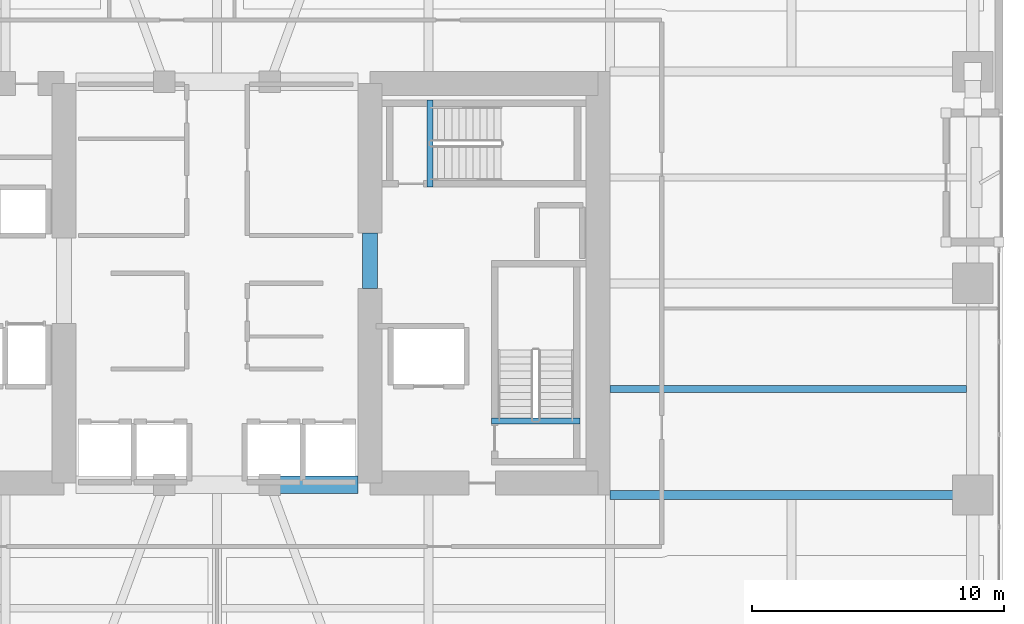
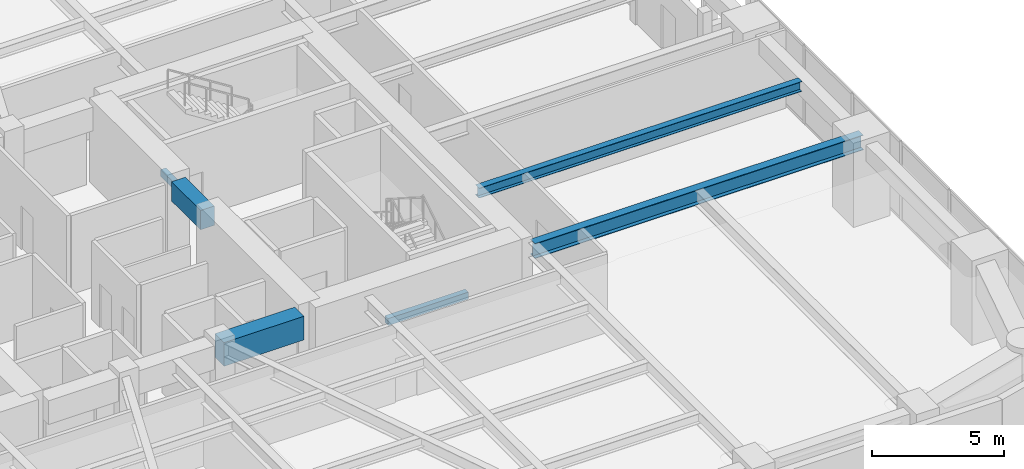
# One storey, part 7 of 29: 6 beams.
"""IFC4 building model written with IfcOpenShell, lengths in metres."""

from ifc_helpers import new_model, si_unit, direction, frame, origin, origin_2d, place, context, subcontext, project, spatial, rectangle, i_section, extrude, material, material_profile, profile_set, type_object, element, save


model = new_model("IFC4")

# Units and contexts
model_context = context("Model", 3, precision=1e-05, world=origin(), true_north=direction((0.0, 1.0)))
body_context = subcontext(model_context, "Body", "Model", "MODEL_VIEW")
ifc_project = project(units=[si_unit("LENGTHUNIT", "METRE"), si_unit("AREAUNIT", "SQUARE_METRE"), si_unit("VOLUMEUNIT", "CUBIC_METRE"), si_unit("PLANEANGLEUNIT", "RADIAN"), si_unit("MASSUNIT", "GRAM", prefix="KILO")], contexts=[model_context])

# Site, building, storey
site_placement = place(None, origin())
site = spatial("IfcSite", under=ifc_project, at=site_placement, CompositionType="ELEMENT")
building_placement = place(site_placement, origin())
building = spatial("IfcBuilding", under=site, at=building_placement, Name="Kiyonajd Concourse Tower", CompositionType="ELEMENT")
storey_placement = place(building_placement, frame((0.0, 0.0, 25.5)))
storey = spatial("IfcBuildingStorey", under=building, at=storey_placement, Name="L07", CompositionType="ELEMENT", Elevation=25.5)

# Beams
ifc_material_1 = material(Name="Concrete C70/85", Category="concrete")
ifc_material_profile_1 = material_profile(ifc_material_1, rectangle(XDim=0.699951171875, YDim=1.10009765625, at=origin_2d()), Name="RCBM-700x1100")
ifc_profile_set_1 = profile_set([ifc_material_profile_1], Name="Concrete C70/85")
beam_type_1 = type_object("IfcBeamType", Name="BM-COUP-1100", PredefinedType="LINTEL", material=ifc_profile_set_1)
beam_1_placement = place(storey_placement, frame((50.10009765625, 28.0, 3.090087890625), z_axis=(1.0, 0.0, 0.0), x_axis=(0.0, 1.0, 0.0)))
element("IfcBeam", 1, at=beam_1_placement, inside=storey, type_object=beam_type_1, Name="L07 Core Coupling Beam S3", PredefinedType="LINTEL", context=body_context, shape_type="SweptSolid", body=[
    extrude(rectangle(XDim=0.699951171875, YDim=1.10009765625, at=origin_2d()), origin(), (0.0, 0.0, 1.0), 3.5),
])
ifc_material_2 = material(Name="Concrete C60/75", Category="concrete")
ifc_material_profile_2 = material_profile(ifc_material_2, rectangle(XDim=0.60009765625, YDim=0.89990234375, at=origin_2d()), Name="RCBM-600x900")
ifc_profile_set_2 = profile_set([ifc_material_profile_2], Name="Concrete C60/75")
beam_type_2 = type_object("IfcBeamType", Name="BM-COUP-900", PredefinedType="LINTEL", material=ifc_profile_set_2)
beam_2_placement = place(storey_placement, frame((54.074951171875, 35.800048828125, 3.090087890625), z_axis=(0.0, 1.0, 0.0), x_axis=(-1.0, 0.0, 0.0)))
element("IfcBeam", 2, at=beam_2_placement, inside=storey, type_object=beam_type_2, Name="L07 East Core Throat Coupling Lintel", PredefinedType="LINTEL", context=body_context, shape_type="SweptSolid", body=[
    extrude(rectangle(XDim=0.60009765625, YDim=0.89990234375, at=origin_2d()), origin(), (0.0, 0.0, 1.0), 2.199951171875),
])
ifc_material_3 = material(Name="Steel ASTM A992 Grade 50", Category="steel")
ifc_material_profile_3 = material_profile(ifc_material_3, i_section(OverallWidth=0.280029296875, OverallDepth=0.462890625, WebThickness=0.0107421875, FlangeThickness=0.017333984375, at=origin_2d()), Name="W460X113")
ifc_profile_set_3 = profile_set([ifc_material_profile_3], Name="Steel ASTM A992 Grade 50")
beam_type_3 = type_object("IfcBeamType", Name="BM-JST-460A", PredefinedType="JOIST", material=ifc_profile_set_3)
beam_3_placement = place(storey_placement, frame((63.60009765625, 31.800048828125, 3.408447265625), z_axis=(1.0, 0.0, 0.0), x_axis=(0.0, 1.0, 0.0)))
element("IfcBeam", 3, at=beam_3_placement, inside=storey, type_object=beam_type_3, Name="L07 East Secondary Floor Joist", PredefinedType="JOIST", context=body_context, shape_type="SweptSolid", body=[
    extrude(i_section(OverallWidth=0.280029296875, OverallDepth=0.462890625, WebThickness=0.0107421875, FlangeThickness=0.017333984375, at=origin_2d()), origin(), (0.0, 0.0, 1.0), 14.14990234375),
])
ifc_material_4 = material(Name="Concrete C50/60", Category="concrete")
ifc_material_profile_4 = material_profile(ifc_material_4, rectangle(XDim=0.239990234375, YDim=0.320068359375, at=origin_2d()), Name="RCBM-240x320")
ifc_profile_set_4 = profile_set([ifc_material_profile_4], Name="Concrete C50/60")
beam_type_4 = type_object("IfcBeamType", Name="BM-LNT-250", PredefinedType="LINTEL", material=ifc_profile_set_4)
beam_4_placement = place(storey_placement, frame((58.889892578125, 30.530029296875, -0.159912109375), z_axis=(1.0, 0.0, 0.0), x_axis=(0.0, 1.0, 0.0)))
element("IfcBeam", 4, at=beam_4_placement, inside=storey, type_object=beam_type_4, Name="L07 Stair ST2 Threshold Support Beam", PredefinedType="LINTEL", context=body_context, shape_type="SweptSolid", body=[
    extrude(rectangle(XDim=0.239990234375, YDim=0.320068359375, at=origin_2d()), origin(), (0.0, 0.0, 1.0), 3.52001953125),
])
beam_5_placement = place(storey_placement, frame((56.4599609375, 39.820068359375, -0.159912109375), z_axis=(0.0, 1.0, 0.0), x_axis=(-1.0, 0.0, 0.0)))
element("IfcBeam", 5, at=beam_5_placement, inside=storey, type_object=beam_type_4, Name="L07 Stair ST3 Threshold Support Beam", PredefinedType="LINTEL", context=body_context, shape_type="SweptSolid", body=[
    extrude(rectangle(XDim=0.239990234375, YDim=0.320068359375, at=origin_2d()), origin(), (0.0, 0.0, 1.0), 3.4599609375),
])
ifc_material_profile_5 = material_profile(ifc_material_3, i_section(OverallWidth=0.35498046875, OverallDepth=0.695068359375, WebThickness=0.015380859375, FlangeThickness=0.02490234375, at=origin_2d()), Name="W690X217")
ifc_profile_set_5 = profile_set([ifc_material_profile_5], Name="Steel ASTM A992 Grade 50")
beam_type_5 = type_object("IfcBeamType", Name="BM-TWR-690", PredefinedType="BEAM", material=ifc_profile_set_5)
beam_6_placement = place(storey_placement, frame((63.60009765625, 27.60009765625, 3.29248046875), z_axis=(1.0, 0.0, 0.0), x_axis=(0.0, 1.0, 0.0)))
element("IfcBeam", 6, at=beam_6_placement, inside=storey, type_object=beam_type_5, Name="L07 East Lease Girder", PredefinedType="BEAM", context=body_context, shape_type="SweptSolid", body=[
    extrude(i_section(OverallWidth=0.35498046875, OverallDepth=0.695068359375, WebThickness=0.015380859375, FlangeThickness=0.02490234375, at=origin_2d()), origin(), (0.0, 0.0, 1.0), 14.39990234375),
])

save(model, "model.ifc")
